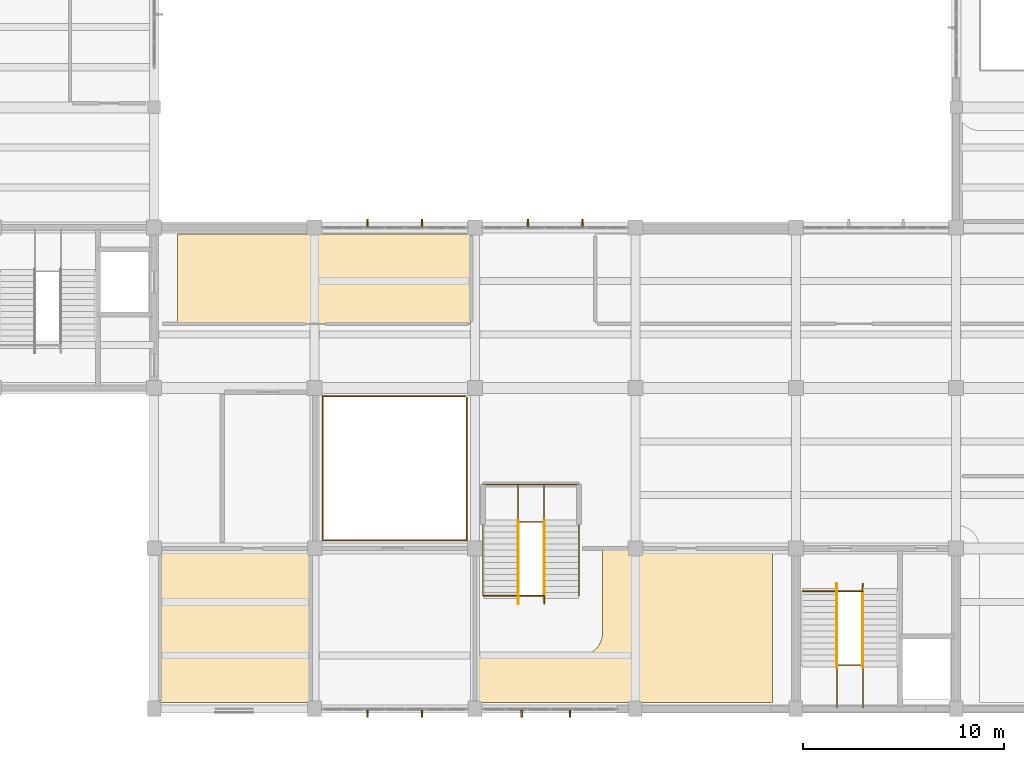
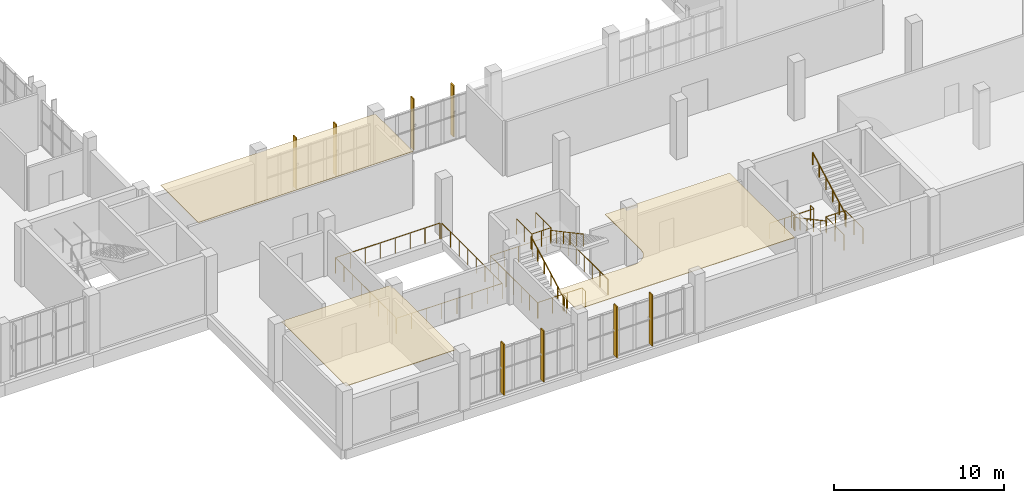
# One storey, part 78 of 85: 13 railings, 8 shading devices, 3 coverings.
"""IFC4 building model written with IfcOpenShell, lengths in metres."""

from ifc_helpers import new_model, si_unit, direction, frame, origin, origin_2d, place, context, subcontext, project, spatial, polyline, rectangle, circle, outline, extrude, material, layer, layer_set, type_object, element, save


model = new_model("IFC4")

# Units and contexts
model_context = context("Model", 3, precision=1e-05, world=origin(), true_north=direction((0.0, 1.0)))
body_context = subcontext(model_context, "Body", "Model", "MODEL_VIEW")
ifc_project = project(units=[si_unit("LENGTHUNIT", "METRE"), si_unit("AREAUNIT", "SQUARE_METRE"), si_unit("VOLUMEUNIT", "CUBIC_METRE"), si_unit("PLANEANGLEUNIT", "RADIAN"), si_unit("MASSUNIT", "GRAM", prefix="KILO")], contexts=[model_context])

# Site, building, storey
site_placement = place(None, origin())
site = spatial("IfcSite", under=ifc_project, at=site_placement, CompositionType="ELEMENT")
building_placement = place(site_placement, origin())
building = spatial("IfcBuilding", under=site, at=building_placement, Name="Solvane Community Centre", CompositionType="ELEMENT")
storey_placement = place(building_placement, frame((0.0, 0.0, 5.39990234375)))
storey = spatial("IfcBuildingStorey", under=building, at=storey_placement, Name="L01", CompositionType="ELEMENT", Elevation=5.39990234375)

# Coverings
ifc_material_1 = material(Name="Acoustic timber slat ceiling", Category="wood")
ifc_layer = layer(ifc_material_1, 0.0400390625)
ifc_layer_set = layer_set([ifc_layer], Name="Acoustic timber slat ceiling")
covering_type = type_object("IfcCoveringType", Name="Acoustic Timber Slat Suspended Ceiling", PredefinedType="CEILING", material=ifc_layer_set)
covering_1_placement = place(storey_placement, frame((0.0, 0.0, 3.955078125)))
element("IfcCovering", 1, at=covering_1_placement, inside=storey, type_object=covering_type, Name="Acoustic Ceiling L01-13", PredefinedType="CEILING", context=body_context, shape_type="SweptSolid", body=[
    extrude(outline(polyline([(68.320068359375, 6.320068359375), (68.320068359375, 13.97998046875), (75.780029296875, 13.97998046875), (75.780029296875, 6.320068359375), (68.320068359375, 6.320068359375)])), origin(), (0.0, 0.0, 1.0), 0.0400390625),
])
covering_2_placement = place(storey_placement, frame((0.0, 0.0, 3.955078125)))
element("IfcCovering", 2, at=covering_2_placement, inside=storey, type_object=covering_type, Name="Acoustic Ceiling L01-14", PredefinedType="CEILING", context=body_context, shape_type="SweptSolid", body=[
    extrude(outline(polyline([(98.840087890625, 13.97998046875), (98.840087890625, 6.320068359375), (84.02001953125, 6.320068359375), (84.02001953125, 8.704345703125), (84.110595703125, 8.677001953125), (84.125732421875, 8.673095703125), (84.22216796875, 8.65380859375), (84.237548828125, 8.651611328125), (84.335205078125, 8.64208984375), (84.350830078125, 8.64111328125), (84.39990234375, 8.639892578125), (89.199951171875, 8.639892578125), (89.2490234375, 8.64111328125), (89.264892578125, 8.64208984375), (89.3623046875, 8.651611328125), (89.3779296875, 8.65380859375), (89.47412109375, 8.673095703125), (89.489501953125, 8.677001953125), (89.583251953125, 8.705322265625), (89.59814453125, 8.710693359375), (89.688720703125, 8.748291015625), (89.702880859375, 8.7548828125), (89.78955078125, 8.80126953125), (89.802978515625, 8.80908203125), (89.884521484375, 8.86376953125), (89.897216796875, 8.873046875), (89.97314453125, 8.935302734375), (89.984619140625, 8.94580078125), (90.05419921875, 9.015380859375), (90.064697265625, 9.02685546875), (90.126953125, 9.102783203125), (90.13623046875, 9.115478515625), (90.19091796875, 9.197021484375), (90.19873046875, 9.21044921875), (90.2451171875, 9.297119140625), (90.251708984375, 9.311279296875), (90.289306640625, 9.40185546875), (90.294677734375, 9.416748046875), (90.322998046875, 9.510498046875), (90.326904296875, 9.52587890625), (90.34619140625, 9.6220703125), (90.348388671875, 9.6376953125), (90.35791015625, 9.735107421875), (90.35888671875, 9.7509765625), (90.360107421875, 9.800048828125), (90.360107421875, 13.97998046875), (98.840087890625, 13.97998046875)])), origin(), (0.0, 0.0, 1.0), 0.0400390625),
])
covering_3_placement = place(storey_placement, frame((0.0, 0.0, 3.955078125)))
element("IfcCovering", 3, at=covering_3_placement, inside=storey, type_object=covering_type, Name="Acoustic Ceiling L01-20", PredefinedType="CEILING", context=body_context, shape_type="SweptSolid", body=[
    extrude(outline(polyline([(83.780029296875, 29.679931640625), (83.780029296875, 25.219970703125), (69.159912109375, 25.219970703125), (69.159912109375, 29.679931640625), (83.780029296875, 29.679931640625)])), origin(), (0.0, 0.0, 1.0), 0.0400390625),
])

# Shading devices
ifc_material_2 = material(Name="Anodised bronze aluminium AW-6063 T6", Category="aluminium")
shading_device_type = type_object("IfcShadingDeviceType", Name="Art Deco Bronze Solar Fin 80x360", PredefinedType="USERDEFINED", material=ifc_material_2)
shading_device_1_placement = place(storey_placement, frame((88.741455078125, 5.760009765625, 0.14990234375), z_axis=(0.0, 0.0, 1.0), x_axis=(-1.0, 0.0, 0.0)))
element("IfcShadingDevice", 4, at=shading_device_1_placement, inside=storey, type_object=shading_device_type, Name="Solar Brise-Soleil Fin 37", ObjectType="Solar Brise-Soleil Fin 37", PredefinedType="USERDEFINED", context=body_context, shape_type="SweptSolid", body=[
    extrude(rectangle(XDim=0.080078125, YDim=0.360107421875, at=origin_2d()), origin(), (0.0, 0.0, 1.0), 3.679931640625),
])
shading_device_2_placement = place(storey_placement, frame((86.33544921875, 5.760009765625, 0.14990234375), z_axis=(0.0, 0.0, 1.0), x_axis=(-1.0, 0.0, 0.0)))
element("IfcShadingDevice", 5, at=shading_device_2_placement, inside=storey, type_object=shading_device_type, Name="Solar Brise-Soleil Fin 38", ObjectType="Solar Brise-Soleil Fin 38", PredefinedType="USERDEFINED", context=body_context, shape_type="SweptSolid", body=[
    extrude(rectangle(XDim=0.080078125, YDim=0.360107421875, at=origin_2d()), origin(), (0.0, 0.0, 1.0), 3.679931640625),
])
shading_device_3_placement = place(storey_placement, frame((81.360107421875, 5.760009765625, 0.14990234375), z_axis=(0.0, 0.0, 1.0), x_axis=(-1.0, 0.0, 0.0)))
element("IfcShadingDevice", 6, at=shading_device_3_placement, inside=storey, type_object=shading_device_type, Name="Solar Brise-Soleil Fin 39", ObjectType="Solar Brise-Soleil Fin 39", PredefinedType="USERDEFINED", context=body_context, shape_type="SweptSolid", body=[
    extrude(rectangle(XDim=0.080078125, YDim=0.360107421875, at=origin_2d()), origin(), (0.0, 0.0, 1.0), 3.679931640625),
])
shading_device_4_placement = place(storey_placement, frame((78.639892578125, 5.760009765625, 0.14990234375), z_axis=(0.0, 0.0, 1.0), x_axis=(-1.0, 0.0, 0.0)))
element("IfcShadingDevice", 7, at=shading_device_4_placement, inside=storey, type_object=shading_device_type, Name="Solar Brise-Soleil Fin 40", ObjectType="Solar Brise-Soleil Fin 40", PredefinedType="USERDEFINED", context=body_context, shape_type="SweptSolid", body=[
    extrude(rectangle(XDim=0.080078125, YDim=0.360107421875, at=origin_2d()), origin(), (0.0, 0.0, 1.0), 3.679931640625),
])
shading_device_5_placement = place(storey_placement, frame((78.639892578125, 30.239990234375, 0.14990234375), z_axis=(0.0, 0.0, 1.0), x_axis=(1.0, 0.0, 0.0)))
element("IfcShadingDevice", 8, at=shading_device_5_placement, inside=storey, type_object=shading_device_type, Name="Solar Brise-Soleil Fin 57", ObjectType="Solar Brise-Soleil Fin 57", PredefinedType="USERDEFINED", context=body_context, shape_type="SweptSolid", body=[
    extrude(rectangle(XDim=0.080078125, YDim=0.360107421875, at=origin_2d()), origin(), (0.0, 0.0, 1.0), 3.679931640625),
])
shading_device_6_placement = place(storey_placement, frame((81.360107421875, 30.239990234375, 0.14990234375), z_axis=(0.0, 0.0, 1.0), x_axis=(1.0, 0.0, 0.0)))
element("IfcShadingDevice", 9, at=shading_device_6_placement, inside=storey, type_object=shading_device_type, Name="Solar Brise-Soleil Fin 58", ObjectType="Solar Brise-Soleil Fin 58", PredefinedType="USERDEFINED", context=body_context, shape_type="SweptSolid", body=[
    extrude(rectangle(XDim=0.080078125, YDim=0.360107421875, at=origin_2d()), origin(), (0.0, 0.0, 1.0), 3.679931640625),
])
shading_device_7_placement = place(storey_placement, frame((86.639892578125, 30.239990234375, 0.14990234375), z_axis=(0.0, 0.0, 1.0), x_axis=(1.0, 0.0, 0.0)))
element("IfcShadingDevice", 10, at=shading_device_7_placement, inside=storey, type_object=shading_device_type, Name="Solar Brise-Soleil Fin 59", ObjectType="Solar Brise-Soleil Fin 59", PredefinedType="USERDEFINED", context=body_context, shape_type="SweptSolid", body=[
    extrude(rectangle(XDim=0.080078125, YDim=0.360107421875, at=origin_2d()), origin(), (0.0, 0.0, 1.0), 3.679931640625),
])
shading_device_8_placement = place(storey_placement, frame((89.360107421875, 30.239990234375, 0.14990234375), z_axis=(0.0, 0.0, 1.0), x_axis=(1.0, 0.0, 0.0)))
element("IfcShadingDevice", 11, at=shading_device_8_placement, inside=storey, type_object=shading_device_type, Name="Solar Brise-Soleil Fin 60", ObjectType="Solar Brise-Soleil Fin 60", PredefinedType="USERDEFINED", context=body_context, shape_type="SweptSolid", body=[
    extrude(rectangle(XDim=0.080078125, YDim=0.360107421875, at=origin_2d()), origin(), (0.0, 0.0, 1.0), 3.679931640625),
])

# Railings
railing_type_1 = type_object("IfcRailingType", Name="Interior Gallery & Stair Well Guard 1150mm", PredefinedType="BALUSTRADE", material=ifc_material_2)
railing_1_placement = place(storey_placement, frame((102.050048828125, 6.06005859375, 2.10009765625)))
element("IfcRailing", 12, at=railing_1_placement, inside=storey, type_object=railing_type_1, Name="Railing GR-L01-025", PredefinedType="BALUSTRADE", context=body_context, shape_type="SweptSolid", body=[
    extrude(circle(Radius=0.02392578125, at=origin_2d()), frame((0.0, 0.0, 1.1259765625), z_axis=(0.0, 1.0, 0.0), x_axis=(-1.0, 0.0, 0.0)), (0.0, 0.0, 1.0), 2.119873046875),
    extrude(circle(Radius=0.02392578125, at=origin_2d()), frame((0.0, 2.119873046875, 1.1259765625), z_axis=(1.0, 0.0, 0.0), x_axis=(0.0, 1.0, 0.0)), (0.0, 0.0, 1.0), 1.300048828125),
    extrude(circle(Radius=0.02392578125, at=origin_2d()), frame((1.300048828125, 2.119873046875, 1.1259765625), z_axis=(0.0, -1.0, 0.0), x_axis=(1.0, 0.0, 0.0)), (0.0, 0.0, 1.0), 2.119873046875),
    extrude(circle(Radius=0.02099609375, at=origin_2d()), origin(), (0.0, 0.0, 1.0), 1.101806640625),
    extrude(circle(Radius=0.02099609375, at=origin_2d()), frame((0.0, 1.06005859375, 0.0)), (0.0, 0.0, 1.0), 1.101806640625),
    extrude(circle(Radius=0.02099609375, at=origin_2d()), frame((0.0, 2.119873046875, 0.0)), (0.0, 0.0, 1.0), 1.101806640625),
    extrude(circle(Radius=0.02099609375, at=origin_2d()), frame((0.64990234375, 2.119873046875, 0.0)), (0.0, 0.0, 1.0), 1.101806640625),
    extrude(circle(Radius=0.02099609375, at=origin_2d()), frame((1.300048828125, 2.119873046875, 0.0)), (0.0, 0.0, 1.0), 1.101806640625),
    extrude(circle(Radius=0.02099609375, at=origin_2d()), frame((1.300048828125, 1.06005859375, 0.0)), (0.0, 0.0, 1.0), 1.101806640625),
    extrude(circle(Radius=0.02099609375, at=origin_2d()), frame((1.300048828125, 0.0, 0.0)), (0.0, 0.0, 1.0), 1.101806640625),
])
railing_2_placement = place(storey_placement, frame((100.340087890625, 11.860107421875, 0.0)))
element("IfcRailing", 13, at=railing_2_placement, inside=storey, type_object=railing_type_1, Name="Railing GR-L01-026", PredefinedType="BALUSTRADE", context=body_context, shape_type="SweptSolid", body=[
    extrude(circle(Radius=0.02392578125, at=origin_2d()), frame((0.0, 0.0, 1.1259765625), z_axis=(1.0, 0.0, 0.0), x_axis=(0.0, 1.0, 0.0)), (0.0, 0.0, 1.0), 3.010009765625),
    extrude(circle(Radius=0.02392578125, at=origin_2d()), frame((3.010009765625, 0.0, 1.1259765625), z_axis=(0.0, 1.0, 0.0), x_axis=(-1.0, 0.0, 0.0)), (0.0, 0.0, 1.0), 0.389892578125),
    extrude(circle(Radius=0.02099609375, at=origin_2d()), origin(), (0.0, 0.0, 1.0), 1.101806640625),
    extrude(circle(Radius=0.02099609375, at=origin_2d()), frame((1.00341796875, 0.0, 0.0)), (0.0, 0.0, 1.0), 1.101806640625),
    extrude(circle(Radius=0.02099609375, at=origin_2d()), frame((2.006591796875, 0.0, 0.0)), (0.0, 0.0, 1.0), 1.101806640625),
    extrude(circle(Radius=0.02099609375, at=origin_2d()), frame((3.010009765625, 0.0, 0.0)), (0.0, 0.0, 1.0), 1.101806640625),
    extrude(circle(Radius=0.02099609375, at=origin_2d()), frame((3.010009765625, 0.389892578125, 0.0)), (0.0, 0.0, 1.0), 1.101806640625),
])
railing_3_placement = place(storey_placement, frame((102.050048828125, 12.25, 0.0)))
element("IfcRailing", 14, at=railing_3_placement, inside=storey, type_object=railing_type_1, Name="Railing GR-L01-027", PredefinedType="BALUSTRADE", context=body_context, shape_type="SweptSolid", body=[
    extrude(circle(Radius=0.02392578125, at=origin_2d()), frame((0.0, 0.0, 1.1259765625), z_axis=(0.0, -1.0, 0.0), x_axis=(1.0, 0.0, 0.0)), (0.0, 0.0, 1.0), 0.389892578125),
    extrude(circle(Radius=0.02099609375, at=origin_2d()), origin(), (0.0, 0.0, 1.0), 1.101806640625),
    extrude(circle(Radius=0.02099609375, at=origin_2d()), frame((0.0, -0.389892578125, 0.0)), (0.0, 0.0, 1.0), 1.101806640625),
])
railing_4_placement = place(storey_placement, frame((87.449951171875, 11.639892578125, 0.0)))
element("IfcRailing", 15, at=railing_4_placement, inside=storey, type_object=railing_type_1, Name="Railing GR-L01-111", PredefinedType="BALUSTRADE", context=body_context, shape_type="SweptSolid", body=[
    extrude(circle(Radius=0.02392578125, at=origin_2d()), frame((0.0, 0.0, 1.1259765625), z_axis=(-1.0, 0.0, 0.0), x_axis=(0.0, -1.0, 0.0)), (0.0, 0.0, 1.0), 3.050048828125),
    extrude(circle(Radius=0.02392578125, at=origin_2d()), frame((-3.050048828125, 0.0, 1.1259765625), z_axis=(0.0, 1.0, 0.0), x_axis=(-1.0, 0.0, 0.0)), (0.0, 0.0, 1.0), 5.56005859375),
    extrude(circle(Radius=0.02392578125, at=origin_2d()), frame((-3.050048828125, 5.56005859375, 1.1259765625), z_axis=(1.0, 0.0, 0.0), x_axis=(0.0, 1.0, 0.0)), (0.0, 0.0, 1.0), 4.800048828125),
    extrude(circle(Radius=0.02392578125, at=origin_2d()), frame((1.75, 5.56005859375, 1.1259765625), z_axis=(0.0, -1.0, 0.0), x_axis=(1.0, 0.0, 0.0)), (0.0, 0.0, 1.0), 5.56005859375),
    extrude(circle(Radius=0.02099609375, at=origin_2d()), origin(), (0.0, 0.0, 1.0), 1.101806640625),
    extrude(circle(Radius=0.02099609375, at=origin_2d()), frame((-1.0166015625, 0.0, 0.0)), (0.0, 0.0, 1.0), 1.101806640625),
    extrude(circle(Radius=0.02099609375, at=origin_2d()), frame((-2.033447265625, 0.0, 0.0)), (0.0, 0.0, 1.0), 1.101806640625),
    extrude(circle(Radius=0.02099609375, at=origin_2d()), frame((-3.050048828125, 0.0, 0.0)), (0.0, 0.0, 1.0), 1.101806640625),
    extrude(circle(Radius=0.02099609375, at=origin_2d()), frame((-3.050048828125, 0.9267578125, 0.0)), (0.0, 0.0, 1.0), 1.101806640625),
    extrude(circle(Radius=0.02099609375, at=origin_2d()), frame((-3.050048828125, 1.853271484375, 0.0)), (0.0, 0.0, 1.0), 1.101806640625),
    extrude(circle(Radius=0.02099609375, at=origin_2d()), frame((-3.050048828125, 2.780029296875, 0.0)), (0.0, 0.0, 1.0), 1.101806640625),
    extrude(circle(Radius=0.02099609375, at=origin_2d()), frame((-3.050048828125, 3.706787109375, 0.0)), (0.0, 0.0, 1.0), 1.101806640625),
    extrude(circle(Radius=0.02099609375, at=origin_2d()), frame((-3.050048828125, 4.63330078125, 0.0)), (0.0, 0.0, 1.0), 1.101806640625),
    extrude(circle(Radius=0.02099609375, at=origin_2d()), frame((-3.050048828125, 5.56005859375, 0.0)), (0.0, 0.0, 1.0), 1.101806640625),
    extrude(circle(Radius=0.02099609375, at=origin_2d()), frame((-2.090087890625, 5.56005859375, 0.0)), (0.0, 0.0, 1.0), 1.101806640625),
    extrude(circle(Radius=0.02099609375, at=origin_2d()), frame((-1.130126953125, 5.56005859375, 0.0)), (0.0, 0.0, 1.0), 1.101806640625),
    extrude(circle(Radius=0.02099609375, at=origin_2d()), frame((-0.169921875, 5.56005859375, 0.0)), (0.0, 0.0, 1.0), 1.101806640625),
    extrude(circle(Radius=0.02099609375, at=origin_2d()), frame((0.7900390625, 5.56005859375, 0.0)), (0.0, 0.0, 1.0), 1.101806640625),
    extrude(circle(Radius=0.02099609375, at=origin_2d()), frame((1.75, 5.56005859375, 0.0)), (0.0, 0.0, 1.0), 1.101806640625),
    extrude(circle(Radius=0.02099609375, at=origin_2d()), frame((1.75, 4.63330078125, 0.0)), (0.0, 0.0, 1.0), 1.101806640625),
    extrude(circle(Radius=0.02099609375, at=origin_2d()), frame((1.75, 3.706787109375, 0.0)), (0.0, 0.0, 1.0), 1.101806640625),
    extrude(circle(Radius=0.02099609375, at=origin_2d()), frame((1.75, 2.780029296875, 0.0)), (0.0, 0.0, 1.0), 1.101806640625),
    extrude(circle(Radius=0.02099609375, at=origin_2d()), frame((1.75, 1.853271484375, 0.0)), (0.0, 0.0, 1.0), 1.101806640625),
    extrude(circle(Radius=0.02099609375, at=origin_2d()), frame((1.75, 0.9267578125, 0.0)), (0.0, 0.0, 1.0), 1.101806640625),
    extrude(circle(Radius=0.02099609375, at=origin_2d()), frame((1.75, 0.0, 0.0)), (0.0, 0.0, 1.0), 1.101806640625),
])
railing_5_placement = place(storey_placement, frame((86.14990234375, 17.139892578125, 2.10009765625)))
element("IfcRailing", 16, at=railing_5_placement, inside=storey, type_object=railing_type_1, Name="Railing GR-L01-114", PredefinedType="BALUSTRADE", context=body_context, shape_type="SweptSolid", body=[
    extrude(circle(Radius=0.02392578125, at=origin_2d()), frame((0.0, 0.0, 1.1259765625), z_axis=(0.0, -1.0, 0.0), x_axis=(1.0, 0.0, 0.0)), (0.0, 0.0, 1.0), 1.81982421875),
    extrude(circle(Radius=0.02392578125, at=origin_2d()), frame((0.0, -1.81982421875, 1.1259765625), z_axis=(1.0, 0.0, 0.0), x_axis=(0.0, 1.0, 0.0)), (0.0, 0.0, 1.0), 1.300048828125),
    extrude(circle(Radius=0.02392578125, at=origin_2d()), frame((1.300048828125, -1.81982421875, 1.1259765625), z_axis=(0.0, 1.0, 0.0), x_axis=(-1.0, 0.0, 0.0)), (0.0, 0.0, 1.0), 1.81982421875),
    extrude(circle(Radius=0.02099609375, at=origin_2d()), origin(), (0.0, 0.0, 1.0), 1.101806640625),
    extrude(circle(Radius=0.02099609375, at=origin_2d()), frame((0.0, -0.909912109375, 0.0)), (0.0, 0.0, 1.0), 1.101806640625),
    extrude(circle(Radius=0.02099609375, at=origin_2d()), frame((0.0, -1.81982421875, 0.0)), (0.0, 0.0, 1.0), 1.101806640625),
    extrude(circle(Radius=0.02099609375, at=origin_2d()), frame((0.64990234375, -1.81982421875, 0.0)), (0.0, 0.0, 1.0), 1.101806640625),
    extrude(circle(Radius=0.02099609375, at=origin_2d()), frame((1.300048828125, -1.81982421875, 0.0)), (0.0, 0.0, 1.0), 1.101806640625),
    extrude(circle(Radius=0.02099609375, at=origin_2d()), frame((1.300048828125, -0.909912109375, 0.0)), (0.0, 0.0, 1.0), 1.101806640625),
    extrude(circle(Radius=0.02099609375, at=origin_2d()), frame((1.300048828125, 0.0, 0.0)), (0.0, 0.0, 1.0), 1.101806640625),
])
railing_6_placement = place(storey_placement, frame((84.43994140625, 11.639892578125, 0.0)))
element("IfcRailing", 17, at=railing_6_placement, inside=storey, type_object=railing_type_1, Name="Railing GR-L01-115", PredefinedType="BALUSTRADE", context=body_context, shape_type="SweptSolid", body=[
    extrude(circle(Radius=0.02392578125, at=origin_2d()), frame((0.0, 0.0, 1.1259765625), z_axis=(1.0, 0.0, 0.0), x_axis=(0.0, 1.0, 0.0)), (0.0, 0.0, 1.0), 3.010009765625),
    extrude(circle(Radius=0.02392578125, at=origin_2d()), frame((3.010009765625, 0.0, 1.1259765625), z_axis=(0.0, -1.0, 0.0), x_axis=(1.0, 0.0, 0.0)), (0.0, 0.0, 1.0), 0.389892578125),
    extrude(circle(Radius=0.02099609375, at=origin_2d()), origin(), (0.0, 0.0, 1.0), 1.101806640625),
    extrude(circle(Radius=0.02099609375, at=origin_2d()), frame((1.00341796875, 0.0, 0.0)), (0.0, 0.0, 1.0), 1.101806640625),
    extrude(circle(Radius=0.02099609375, at=origin_2d()), frame((2.006591796875, 0.0, 0.0)), (0.0, 0.0, 1.0), 1.101806640625),
    extrude(circle(Radius=0.02099609375, at=origin_2d()), frame((3.010009765625, 0.0, 0.0)), (0.0, 0.0, 1.0), 1.101806640625),
    extrude(circle(Radius=0.02099609375, at=origin_2d()), frame((3.010009765625, -0.389892578125, 0.0)), (0.0, 0.0, 1.0), 1.101806640625),
])
railing_7_placement = place(storey_placement, frame((86.14990234375, 11.25, 0.0)))
element("IfcRailing", 18, at=railing_7_placement, inside=storey, type_object=railing_type_1, Name="Railing GR-L01-116", PredefinedType="BALUSTRADE", context=body_context, shape_type="SweptSolid", body=[
    extrude(circle(Radius=0.02392578125, at=origin_2d()), frame((0.0, 0.0, 1.1259765625), z_axis=(0.0, 1.0, 0.0), x_axis=(-1.0, 0.0, 0.0)), (0.0, 0.0, 1.0), 0.389892578125),
    extrude(circle(Radius=0.02099609375, at=origin_2d()), origin(), (0.0, 0.0, 1.0), 1.101806640625),
    extrude(circle(Radius=0.02099609375, at=origin_2d()), frame((0.0, 0.389892578125, 0.0)), (0.0, 0.0, 1.0), 1.101806640625),
])
railing_8_placement = place(storey_placement, frame((76.39990234375, 14.39990234375, 0.0)))
element("IfcRailing", 19, at=railing_8_placement, inside=storey, type_object=railing_type_1, Name="Railing GR-L01-139", PredefinedType="BALUSTRADE", context=body_context, shape_type="SweptSolid", body=[
    extrude(circle(Radius=0.02392578125, at=origin_2d()), frame((0.0, 0.0, 1.1259765625), z_axis=(1.0, 0.0, 0.0), x_axis=(0.0, 1.0, 0.0)), (0.0, 0.0, 1.0), 7.2001953125),
    extrude(circle(Radius=0.02392578125, at=origin_2d()), frame((7.2001953125, 0.0, 1.1259765625), z_axis=(0.0, 1.0, 0.0), x_axis=(-1.0, 0.0, 0.0)), (0.0, 0.0, 1.0), 7.1201171875),
    extrude(circle(Radius=0.02099609375, at=origin_2d()), origin(), (0.0, 0.0, 1.0), 1.101806640625),
    extrude(circle(Radius=0.02099609375, at=origin_2d()), frame((1.028564453125, 0.0, 0.0)), (0.0, 0.0, 1.0), 1.101806640625),
    extrude(circle(Radius=0.02099609375, at=origin_2d()), frame((2.05712890625, 0.0, 0.0)), (0.0, 0.0, 1.0), 1.101806640625),
    extrude(circle(Radius=0.02099609375, at=origin_2d()), frame((3.085693359375, 0.0, 0.0)), (0.0, 0.0, 1.0), 1.101806640625),
    extrude(circle(Radius=0.02099609375, at=origin_2d()), frame((4.114501953125, 0.0, 0.0)), (0.0, 0.0, 1.0), 1.101806640625),
    extrude(circle(Radius=0.02099609375, at=origin_2d()), frame((5.14306640625, 0.0, 0.0)), (0.0, 0.0, 1.0), 1.101806640625),
    extrude(circle(Radius=0.02099609375, at=origin_2d()), frame((6.171630859375, 0.0, 0.0)), (0.0, 0.0, 1.0), 1.101806640625),
    extrude(circle(Radius=0.02099609375, at=origin_2d()), frame((7.2001953125, 0.0, 0.0)), (0.0, 0.0, 1.0), 1.101806640625),
    extrude(circle(Radius=0.02099609375, at=origin_2d()), frame((7.2001953125, 1.01708984375, 0.0)), (0.0, 0.0, 1.0), 1.101806640625),
    extrude(circle(Radius=0.02099609375, at=origin_2d()), frame((7.2001953125, 2.034423828125, 0.0)), (0.0, 0.0, 1.0), 1.101806640625),
    extrude(circle(Radius=0.02099609375, at=origin_2d()), frame((7.2001953125, 3.051513671875, 0.0)), (0.0, 0.0, 1.0), 1.101806640625),
    extrude(circle(Radius=0.02099609375, at=origin_2d()), frame((7.2001953125, 4.068603515625, 0.0)), (0.0, 0.0, 1.0), 1.101806640625),
    extrude(circle(Radius=0.02099609375, at=origin_2d()), frame((7.2001953125, 5.085693359375, 0.0)), (0.0, 0.0, 1.0), 1.101806640625),
    extrude(circle(Radius=0.02099609375, at=origin_2d()), frame((7.2001953125, 6.10302734375, 0.0)), (0.0, 0.0, 1.0), 1.101806640625),
    extrude(circle(Radius=0.02099609375, at=origin_2d()), frame((7.2001953125, 7.1201171875, 0.0)), (0.0, 0.0, 1.0), 1.101806640625),
])
railing_9_placement = place(storey_placement, frame((83.52001953125, 21.60009765625, 0.0)))
element("IfcRailing", 20, at=railing_9_placement, inside=storey, type_object=railing_type_1, Name="Railing GR-L01-140", PredefinedType="BALUSTRADE", context=body_context, shape_type="SweptSolid", body=[
    extrude(circle(Radius=0.02392578125, at=origin_2d()), frame((0.0, 0.0, 1.1259765625), z_axis=(-1.0, 0.0, 0.0), x_axis=(0.0, -1.0, 0.0)), (0.0, 0.0, 1.0), 7.1201171875),
    extrude(circle(Radius=0.02392578125, at=origin_2d()), frame((-7.1201171875, 0.0, 1.1259765625), z_axis=(0.0, -1.0, 0.0), x_axis=(1.0, 0.0, 0.0)), (0.0, 0.0, 1.0), 7.1201171875),
    extrude(circle(Radius=0.02099609375, at=origin_2d()), origin(), (0.0, 0.0, 1.0), 1.101806640625),
    extrude(circle(Radius=0.02099609375, at=origin_2d()), frame((-1.01708984375, 0.0, 0.0)), (0.0, 0.0, 1.0), 1.101806640625),
    extrude(circle(Radius=0.02099609375, at=origin_2d()), frame((-2.034423828125, 0.0, 0.0)), (0.0, 0.0, 1.0), 1.101806640625),
    extrude(circle(Radius=0.02099609375, at=origin_2d()), frame((-3.051513671875, 0.0, 0.0)), (0.0, 0.0, 1.0), 1.101806640625),
    extrude(circle(Radius=0.02099609375, at=origin_2d()), frame((-4.068603515625, 0.0, 0.0)), (0.0, 0.0, 1.0), 1.101806640625),
    extrude(circle(Radius=0.02099609375, at=origin_2d()), frame((-5.085693359375, 0.0, 0.0)), (0.0, 0.0, 1.0), 1.101806640625),
    extrude(circle(Radius=0.02099609375, at=origin_2d()), frame((-6.10302734375, 0.0, 0.0)), (0.0, 0.0, 1.0), 1.101806640625),
    extrude(circle(Radius=0.02099609375, at=origin_2d()), frame((-7.1201171875, 0.0, 0.0)), (0.0, 0.0, 1.0), 1.101806640625),
    extrude(circle(Radius=0.02099609375, at=origin_2d()), frame((-7.1201171875, -1.01708984375, 0.0)), (0.0, 0.0, 1.0), 1.101806640625),
    extrude(circle(Radius=0.02099609375, at=origin_2d()), frame((-7.1201171875, -2.034423828125, 0.0)), (0.0, 0.0, 1.0), 1.101806640625),
    extrude(circle(Radius=0.02099609375, at=origin_2d()), frame((-7.1201171875, -3.051513671875, 0.0)), (0.0, 0.0, 1.0), 1.101806640625),
    extrude(circle(Radius=0.02099609375, at=origin_2d()), frame((-7.1201171875, -4.068603515625, 0.0)), (0.0, 0.0, 1.0), 1.101806640625),
    extrude(circle(Radius=0.02099609375, at=origin_2d()), frame((-7.1201171875, -5.085693359375, 0.0)), (0.0, 0.0, 1.0), 1.101806640625),
    extrude(circle(Radius=0.02099609375, at=origin_2d()), frame((-7.1201171875, -6.10302734375, 0.0)), (0.0, 0.0, 1.0), 1.101806640625),
    extrude(circle(Radius=0.02099609375, at=origin_2d()), frame((-7.1201171875, -7.1201171875, 0.0)), (0.0, 0.0, 1.0), 1.101806640625),
])
railing_type_2 = type_object("IfcRailingType", Name="Stair Pitch Handrail 900mm", PredefinedType="HANDRAIL", material=ifc_material_2)
railing_10_placement = place(storey_placement, frame((102.050048828125, 12.0, 0.0)))
element("IfcRailing", 21, at=railing_10_placement, inside=storey, type_object=railing_type_2, Name="Railing HR-L01-023", PredefinedType="HANDRAIL", context=body_context, shape_type="SweptSolid", body=[
    extrude(circle(Radius=0.02392578125, at=origin_2d()), frame((0.0, 0.0, 0.8759765625), z_axis=(0.0, -0.881466911329, 0.472245787945), x_axis=(1.0, 0.0, 0.0)), (0.0, 0.0, 1.0), 4.447021484375),
    extrude(circle(Radius=0.02099609375, at=origin_2d()), origin(), (0.0, 0.0, 1.0), 0.851806640625),
    extrude(circle(Radius=0.02099609375, at=origin_2d()), frame((0.0, -0.783935546875, 0.419921875)), (0.0, 0.0, 1.0), 0.851806640625),
    extrude(circle(Radius=0.02099609375, at=origin_2d()), frame((0.0, -1.56787109375, 0.840087890625)), (0.0, 0.0, 1.0), 0.851806640625),
    extrude(circle(Radius=0.02099609375, at=origin_2d()), frame((0.0, -2.35205078125, 1.260009765625)), (0.0, 0.0, 1.0), 0.851806640625),
    extrude(circle(Radius=0.02099609375, at=origin_2d()), frame((0.0, -3.135986328125, 1.68017578125)), (0.0, 0.0, 1.0), 0.851806640625),
    extrude(circle(Radius=0.02099609375, at=origin_2d()), frame((0.0, -3.919921875, 2.10009765625)), (0.0, 0.0, 1.0), 0.851806640625),
])
for number, where, name in (
    (22, (103.35009765625, 8.080078125, 2.10009765625), "Railing HR-L01-024"),
    (23, (86.14990234375, 11.5, 0.0), "Railing HR-L01-112"),
):
    element("IfcRailing", number, at=place(storey_placement, frame(where)), inside=storey, type_object=railing_type_2, Name=name, PredefinedType="HANDRAIL", context=body_context, shape_type="SweptSolid", body=[
        extrude(circle(Radius=0.02392578125, at=origin_2d()), frame((0.0, 0.0, 0.8759765625), z_axis=(0.0, 0.881466911329, 0.472245787945), x_axis=(-1.0, 0.0, 0.0)), (0.0, 0.0, 1.0), 4.447021484375),
        extrude(circle(Radius=0.02099609375, at=origin_2d()), origin(), (0.0, 0.0, 1.0), 0.851806640625),
        extrude(circle(Radius=0.02099609375, at=origin_2d()), frame((0.0, 0.783935546875, 0.419921875)), (0.0, 0.0, 1.0), 0.851806640625),
        extrude(circle(Radius=0.02099609375, at=origin_2d()), frame((0.0, 1.56787109375, 0.840087890625)), (0.0, 0.0, 1.0), 0.851806640625),
        extrude(circle(Radius=0.02099609375, at=origin_2d()), frame((0.0, 2.35205078125, 1.260009765625)), (0.0, 0.0, 1.0), 0.851806640625),
        extrude(circle(Radius=0.02099609375, at=origin_2d()), frame((0.0, 3.135986328125, 1.68017578125)), (0.0, 0.0, 1.0), 0.851806640625),
        extrude(circle(Radius=0.02099609375, at=origin_2d()), frame((0.0, 3.919921875, 2.10009765625)), (0.0, 0.0, 1.0), 0.851806640625),
    ])
railing_11_placement = place(storey_placement, frame((87.449951171875, 15.419921875, 2.10009765625)))
element("IfcRailing", 24, at=railing_11_placement, inside=storey, type_object=railing_type_2, Name="Railing HR-L01-113", PredefinedType="HANDRAIL", context=body_context, shape_type="SweptSolid", body=[
    extrude(circle(Radius=0.02392578125, at=origin_2d()), frame((0.0, 0.0, 0.8759765625), z_axis=(0.0, -0.881466911329, 0.472245787945), x_axis=(1.0, 0.0, 0.0)), (0.0, 0.0, 1.0), 4.447021484375),
    extrude(circle(Radius=0.02099609375, at=origin_2d()), origin(), (0.0, 0.0, 1.0), 0.851806640625),
    extrude(circle(Radius=0.02099609375, at=origin_2d()), frame((0.0, -0.783935546875, 0.419921875)), (0.0, 0.0, 1.0), 0.851806640625),
    extrude(circle(Radius=0.02099609375, at=origin_2d()), frame((0.0, -1.56787109375, 0.840087890625)), (0.0, 0.0, 1.0), 0.851806640625),
    extrude(circle(Radius=0.02099609375, at=origin_2d()), frame((0.0, -2.35205078125, 1.260009765625)), (0.0, 0.0, 1.0), 0.851806640625),
    extrude(circle(Radius=0.02099609375, at=origin_2d()), frame((0.0, -3.135986328125, 1.68017578125)), (0.0, 0.0, 1.0), 0.851806640625),
    extrude(circle(Radius=0.02099609375, at=origin_2d()), frame((0.0, -3.919921875, 2.10009765625)), (0.0, 0.0, 1.0), 0.851806640625),
])

save(model, "model.ifc")
